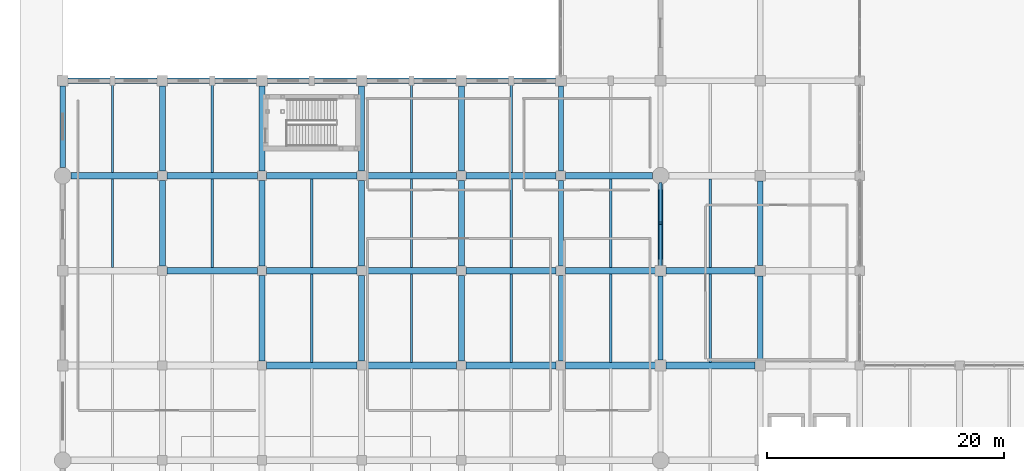
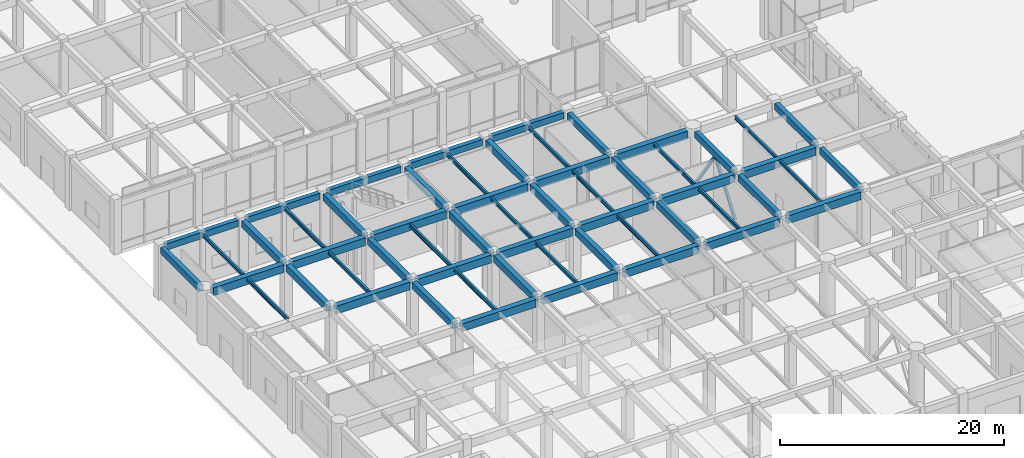
# One storey, part 19 of 76: 57 beams, 2 members.
"""IFC4 building model written with IfcOpenShell, lengths in metres."""

import ifcopenshell
import ifcopenshell.guid

model = None  # the IFC model being written
_history = None  # IfcOwnerHistory: only IFC2X3 demands one
_inside = {}  # id of a spatial element -> (the spatial element, [elements in it])
_under = {}  # id of a project, library or spatial element -> (it, [spatial elements below it])
_declared = {}  # id of a project -> (the project, [libraries it declares])
_typed = {}  # id of a type object -> (the type object, [elements of that type])
_made_of = {}  # id of a material, layer set ... -> (it, [elements and type objects made of it])


def new_model(schema):
    """Start an empty IFC model of exactly this schema.

    Asked for "IFC4X3", IfcOpenShell would pick the latest addendum, in which some entities
    have other attributes; the version numbers below select the first issue.
    IFC2X3 requires an IfcOwnerHistory on every rooted entity: one is made here for all.
    """
    global model, _history
    if schema == "IFC4X3":
        model = ifcopenshell.file(schema_version=(4, 3, 0, 0))
    else:
        model = ifcopenshell.file(schema=schema)
    _inside.clear()
    _under.clear()
    _declared.clear()
    _typed.clear()
    _made_of.clear()
    _history = None
    if model.schema == "IFC2X3":
        org = make("IfcOrganization", Name="unknown")
        user = make(
            "IfcPersonAndOrganization",
            ThePerson=make("IfcPerson", FamilyName="unknown"),
            TheOrganization=org,
        )
        app = make(
            "IfcApplication",
            ApplicationDeveloper=org,
            Version="unknown",
            ApplicationFullName="unknown",
            ApplicationIdentifier="unknown",
        )
        _history = make(
            "IfcOwnerHistory",
            OwningUser=user,
            OwningApplication=app,
            ChangeAction="ADDED",
            CreationDate=0,
        )
    return model


def make(cls, **values):
    """One entity of the class cls with the attributes given. An attribute that is None is left unset."""
    return model.create_entity(
        cls, **{name: value for name, value in values.items() if value is not None}
    )


def rooted(cls, **values):
    """An entity with a GlobalId (a new one), such as an element, a storey or a relation."""
    return make(cls, GlobalId=ifcopenshell.guid.new(), OwnerHistory=_history, **values)


def si_unit(unit_type, name, prefix=None):
    """IfcSIUnit, for example si_unit("LENGTHUNIT", "METRE", prefix="MILLI")."""
    return make("IfcSIUnit", UnitType=unit_type, Prefix=prefix, Name=name)


def assignment(units):
    """IfcUnitAssignment: the units of a project."""
    return None if units is None else make("IfcUnitAssignment", Units=units)


def point(xyz):
    """IfcCartesianPoint."""
    return None if xyz is None else make("IfcCartesianPoint", Coordinates=xyz)


def direction(xyz):
    """IfcDirection."""
    return None if xyz is None else make("IfcDirection", DirectionRatios=xyz)


def frame(location, z_axis=None, x_axis=None):
    """IfcAxis2Placement3D, a coordinate frame: its origin and axes. An axis left out is left unset."""
    return make(
        "IfcAxis2Placement3D",
        Location=point(location),
        Axis=direction(z_axis),
        RefDirection=direction(x_axis),
    )


def frame_2d(location, x_axis=None):
    """IfcAxis2Placement2D, a coordinate frame in the plane: its origin and x axis."""
    return make(
        "IfcAxis2Placement2D", Location=point(location), RefDirection=direction(x_axis)
    )


def origin():
    """The frame at (0, 0, 0) with its axes left unset."""
    return frame((0.0, 0.0, 0.0))


def origin_2d():
    """The frame at (0, 0) in the plane with its x axis left unset."""
    return frame_2d((0.0, 0.0))


def place(relative_to, where):
    """IfcLocalPlacement: puts the frame where relative to a parent placement (None: the world)."""
    return make(
        "IfcLocalPlacement", PlacementRelTo=relative_to, RelativePlacement=where
    )


def context(
    kind, dimensions, precision=None, world=None, true_north=None, identifier=None
):
    """IfcGeometricRepresentationContext, for example the 3D "Model" context."""
    return make(
        "IfcGeometricRepresentationContext",
        ContextIdentifier=identifier,
        ContextType=kind,
        CoordinateSpaceDimension=dimensions,
        Precision=precision,
        WorldCoordinateSystem=world,
        TrueNorth=true_north,
    )


def subcontext(parent, identifier, kind, view, scale=None):
    """IfcGeometricRepresentationSubContext, for example "Body" below "Model"."""
    return make(
        "IfcGeometricRepresentationSubContext",
        ContextIdentifier=identifier,
        ContextType=kind,
        ParentContext=parent,
        TargetScale=scale,
        TargetView=view,
    )


def project(units=None, contexts=None):
    """IfcProject with its units and contexts."""
    return rooted(
        "IfcProject",
        Name="project",
        RepresentationContexts=contexts,
        UnitsInContext=assignment(units),
    )


def spatial(cls, under=None, at=None, **own):
    """A site, building, storey or space (cls), placed at a placement, below another one or the project."""
    s = rooted(cls, ObjectPlacement=at, **own)
    if under is not None:
        _under.setdefault(under.id(), (under, []))[1].append(s)
    return s


def profile(cls, at=None, kind="AREA", **sizes):
    """A parametric profile (cls). Its sizes go by their IFC names, for example OverallWidth=200.0."""
    return make(cls, ProfileType=kind, Position=at, **sizes)


def rectangle(**sizes):
    """IfcRectangleProfileDef."""
    return profile("IfcRectangleProfileDef", **sizes)


def hollow_rectangle(**sizes):
    """IfcRectangleHollowProfileDef."""
    return profile("IfcRectangleHollowProfileDef", **sizes)


def i_section(**sizes):
    """IfcIShapeProfileDef."""
    return profile("IfcIShapeProfileDef", **sizes)


def extrude(swept, where, along, depth):
    """IfcExtrudedAreaSolid: the profile swept, set in the frame where, extruded along a direction by depth."""
    return make(
        "IfcExtrudedAreaSolid",
        SweptArea=swept,
        Position=where,
        ExtrudedDirection=direction(along),
        Depth=depth,
    )


def shape(context_of_items, identifier, shape_type, items):
    """IfcShapeRepresentation: the items that make up one representation, for example the "Body"."""
    return make(
        "IfcShapeRepresentation",
        ContextOfItems=context_of_items,
        RepresentationIdentifier=identifier,
        RepresentationType=shape_type,
        Items=items,
    )


def material(Name=None, Category=None):
    """IfcMaterial."""
    return make("IfcMaterial", Name=Name, Category=Category)


def material_profile(
    of_material, cross_section, Name=None, Category=None, Priority=None
):
    """IfcMaterialProfile: a cross section and its material."""
    return make(
        "IfcMaterialProfile",
        Name=Name,
        Material=of_material,
        Profile=cross_section,
        Priority=Priority,
        Category=Category,
    )


def profile_set(profiles, Name=None, composite=None):
    """IfcMaterialProfileSet."""
    return make(
        "IfcMaterialProfileSet",
        Name=Name,
        MaterialProfiles=profiles,
        CompositeProfile=composite,
    )


def made_of(thing, what):
    """Note that an element or type object is made of a material, layer set ...; save() writes the relation."""
    if what is not None:
        _made_of.setdefault(what.id(), (what, []))[1].append(thing)
    return thing


def type_object(cls, material=None, **own):
    """A type object (cls), such as IfcWallType, which elements share."""
    return made_of(rooted(cls, **own), material)


def element(
    cls,
    number,
    at=None,
    inside=None,
    cuts=None,
    type_object=None,
    material=None,
    context=None,
    identifier="Body",
    shape_type=None,
    held_by="IfcProductDefinitionShape",
    body=None,
    shapes=None,
    **own,
):
    """One element of the class cls, such as IfcWall. Its Tag is "e" and its number.

    at: its placement. inside: the storey or other place that contains it. cuts: it is an
    opening in that element (IfcRelVoidsElement). A single representation is given by context,
    identifier, shape_type and body (its items); several are given by shapes. held_by: the class
    of the entity that holds the representations. save() writes the other relations.
    """
    e = rooted(cls, Tag="e%d" % number, ObjectPlacement=at, **own)
    if body is not None:
        shapes = [shape(context, identifier, shape_type, body)]
    if shapes is not None:
        e.Representation = make(held_by, Representations=shapes)
    if inside is not None:
        _inside.setdefault(inside.id(), (inside, []))[1].append(e)
    if cuts is not None:
        rooted(
            "IfcRelVoidsElement", RelatingBuildingElement=cuts, RelatedOpeningElement=e
        )
    if type_object is not None:
        _typed.setdefault(type_object.id(), (type_object, []))[1].append(e)
    return made_of(e, material)


def aggregate(whole, parts):
    """IfcRelAggregates: a whole, such as a stair, and the parts it consists of."""
    return rooted("IfcRelAggregates", RelatingObject=whole, RelatedObjects=parts)


def save(model, path):
    """Write the relations noted so far, then the file.

    IfcRelAggregates (storeys below a building ...), IfcRelContainedInSpatialStructure (elements
    in a storey), IfcRelDefinesByType, IfcRelAssociatesMaterial and IfcRelDeclares: one each for
    every whole, place, type object, material and project.
    """
    for whole, parts in _under.values():
        aggregate(whole, parts)
    for where, things in _inside.values():
        rooted(
            "IfcRelContainedInSpatialStructure",
            RelatedElements=things,
            RelatingStructure=where,
        )
    for kind, things in _typed.values():
        rooted("IfcRelDefinesByType", RelatedObjects=things, RelatingType=kind)
    for what, things in _made_of.values():
        rooted("IfcRelAssociatesMaterial", RelatedObjects=things, RelatingMaterial=what)
    for by, libraries in _declared.values():
        rooted("IfcRelDeclares", RelatingContext=by, RelatedDefinitions=libraries)
    model.write(path)


model = new_model("IFC4")

# Units and contexts
model_context = context("Model", 3, precision=1e-05, world=origin(), true_north=direction((0.0, 1.0)))
body_context = subcontext(model_context, "Body", "Model", "MODEL_VIEW")
ifc_project = project(units=[si_unit("LENGTHUNIT", "METRE"), si_unit("AREAUNIT", "SQUARE_METRE"), si_unit("VOLUMEUNIT", "CUBIC_METRE"), si_unit("PLANEANGLEUNIT", "RADIAN"), si_unit("MASSUNIT", "GRAM", prefix="KILO")], contexts=[model_context])

# Site, building, storey
site_placement = place(None, origin())
site = spatial("IfcSite", under=ifc_project, at=site_placement, CompositionType="ELEMENT")
building_placement = place(site_placement, origin())
building = spatial("IfcBuilding", under=site, at=building_placement, Name="Naruveol Harbour Congress Hotel", CompositionType="ELEMENT")
storey_placement = place(building_placement, origin())
storey = spatial("IfcBuildingStorey", under=building, at=storey_placement, Name="L00", CompositionType="ELEMENT", Elevation=0.0)

# Beams
ifc_material_1 = material(Name="Concrete C40/50", Category="concrete")
ifc_material_profile_1 = material_profile(ifc_material_1, rectangle(XDim=0.5, YDim=0.75, at=origin_2d()), Name="RCB-500x750")
ifc_profile_set_1 = profile_set([ifc_material_profile_1], Name="Concrete C40/50")
beam_type_1 = type_object("IfcBeamType", Name="RC FLOOR GIRDER 500X750", PredefinedType="BEAM", material=ifc_profile_set_1)
beam_1_placement = place(storey_placement, frame((8.39990234375, 40.39599609375, 5.304931640625), z_axis=(0.0, 1.0, 0.0), x_axis=(-1.0, 0.0, 0.0)))
element("IfcBeam", 1, at=beam_1_placement, inside=storey, type_object=beam_type_1, Name="Transverse girder L01 CB3", PredefinedType="BEAM", context=body_context, shape_type="SweptSolid", body=[
    extrude(rectangle(XDim=0.5, YDim=0.75, at=origin_2d()), origin(), (0.0, 0.0, 1.0), 7.2080078125),
])
beam_2_placement = place(storey_placement, frame((8.39990234375, 48.39599609375, 5.304931640625), z_axis=(0.0, 1.0, 0.0), x_axis=(-1.0, 0.0, 0.0)))
element("IfcBeam", 2, at=beam_2_placement, inside=storey, type_object=beam_type_1, Name="Transverse girder L01 CB3", PredefinedType="BEAM", context=body_context, shape_type="SweptSolid", body=[
    extrude(rectangle(XDim=0.5, YDim=0.75, at=origin_2d()), origin(), (0.0, 0.0, 1.0), 7.157958984375),
])
for number, where, z_axis, x_axis, name in (
    (3, (16.800048828125, 32.39599609375, 5.324951171875), (0.0, 1.0, 0.0), (-1.0, 0.0, 0.0), "Transverse girder L01 CB3"),
    (4, (16.800048828125, 40.39599609375, 5.304931640625), (0.0, 1.0, 0.0), (-1.0, 0.0, 0.0), "Transverse girder L01 CB3"),
):
    element("IfcBeam", number, at=place(storey_placement, frame(where, z_axis=z_axis, x_axis=x_axis)), inside=storey, type_object=beam_type_1, Name=name, PredefinedType="BEAM", context=body_context, shape_type="SweptSolid", body=[
        extrude(rectangle(XDim=0.5, YDim=0.75, at=origin_2d()), origin(), (0.0, 0.0, 1.0), 7.2080078125),
    ])
beam_3_placement = place(storey_placement, frame((16.800048828125, 48.39599609375, 5.304931640625), z_axis=(0.0, 1.0, 0.0), x_axis=(-1.0, 0.0, 0.0)))
element("IfcBeam", 5, at=beam_3_placement, inside=storey, type_object=beam_type_1, Name="Transverse girder L01 CB3", PredefinedType="BEAM", context=body_context, shape_type="SweptSolid", body=[
    extrude(rectangle(XDim=0.5, YDim=0.75, at=origin_2d()), origin(), (0.0, 0.0, 1.0), 7.157958984375),
])
for number, where, z_axis, x_axis, name in (
    (6, (25.199951171875, 32.39599609375, 5.324951171875), (0.0, 1.0, 0.0), (-1.0, 0.0, 0.0), "Transverse girder L01 CB3"),
    (7, (25.199951171875, 40.39599609375, 5.304931640625), (0.0, 1.0, 0.0), (-1.0, 0.0, 0.0), "Transverse girder L01 CB3"),
):
    element("IfcBeam", number, at=place(storey_placement, frame(where, z_axis=z_axis, x_axis=x_axis)), inside=storey, type_object=beam_type_1, Name=name, PredefinedType="BEAM", context=body_context, shape_type="SweptSolid", body=[
        extrude(rectangle(XDim=0.5, YDim=0.75, at=origin_2d()), origin(), (0.0, 0.0, 1.0), 7.2080078125),
    ])
beam_4_placement = place(storey_placement, frame((25.199951171875, 48.39599609375, 5.304931640625), z_axis=(0.0, 1.0, 0.0), x_axis=(-1.0, 0.0, 0.0)))
element("IfcBeam", 8, at=beam_4_placement, inside=storey, type_object=beam_type_1, Name="Transverse girder L01 CB3", PredefinedType="BEAM", context=body_context, shape_type="SweptSolid", body=[
    extrude(rectangle(XDim=0.5, YDim=0.75, at=origin_2d()), origin(), (0.0, 0.0, 1.0), 7.157958984375),
])
for number, where, z_axis, x_axis, name in (
    (9, (33.60009765625, 32.39599609375, 5.324951171875), (0.0, 1.0, 0.0), (-1.0, 0.0, 0.0), "Transverse girder L01 CB3"),
    (10, (33.60009765625, 40.39599609375, 5.304931640625), (0.0, 1.0, 0.0), (-1.0, 0.0, 0.0), "Transverse girder L01 CB3"),
):
    element("IfcBeam", number, at=place(storey_placement, frame(where, z_axis=z_axis, x_axis=x_axis)), inside=storey, type_object=beam_type_1, Name=name, PredefinedType="BEAM", context=body_context, shape_type="SweptSolid", body=[
        extrude(rectangle(XDim=0.5, YDim=0.75, at=origin_2d()), origin(), (0.0, 0.0, 1.0), 7.2080078125),
    ])
beam_5_placement = place(storey_placement, frame((33.60009765625, 48.39599609375, 5.304931640625), z_axis=(0.0, 1.0, 0.0), x_axis=(-1.0, 0.0, 0.0)))
element("IfcBeam", 11, at=beam_5_placement, inside=storey, type_object=beam_type_1, Name="Transverse girder L01 CB3", PredefinedType="BEAM", context=body_context, shape_type="SweptSolid", body=[
    extrude(rectangle(XDim=0.5, YDim=0.75, at=origin_2d()), origin(), (0.0, 0.0, 1.0), 7.157958984375),
])
ifc_material_2 = material(Name="Concrete C40/50", Category="concrete")
ifc_material_profile_2 = material_profile(ifc_material_2, rectangle(XDim=0.550048828125, YDim=0.85009765625, at=origin_2d()), Name="RCB-550x850")
ifc_profile_set_2 = profile_set([ifc_material_profile_2], Name="Concrete C40/50")
beam_type_2 = type_object("IfcBeamType", Name="RC PRIMARY GIRDER 550X850", PredefinedType="BEAM", material=ifc_profile_set_2)
beam_6_placement = place(storey_placement, frame((17.196044921875, 32.0, 5.27490234375), z_axis=(1.0, 0.0, 0.0), x_axis=(0.0, 1.0, 0.0)))
element("IfcBeam", 12, at=beam_6_placement, inside=storey, type_object=beam_type_2, Name="Floor girder L01 CB2", PredefinedType="BEAM", context=body_context, shape_type="SweptSolid", body=[
    extrude(rectangle(XDim=0.550048828125, YDim=0.85009765625, at=origin_2d()), origin(), (0.0, 0.0, 1.0), 7.60791015625),
])
beam_7_placement = place(storey_placement, frame((25.595947265625, 32.0, 5.27490234375), z_axis=(1.0, 0.0, 0.0), x_axis=(0.0, 1.0, 0.0)))
element("IfcBeam", 13, at=beam_7_placement, inside=storey, type_object=beam_type_2, Name="Floor girder L01 CB2", PredefinedType="BEAM", context=body_context, shape_type="SweptSolid", body=[
    extrude(rectangle(XDim=0.550048828125, YDim=0.85009765625, at=origin_2d()), origin(), (0.0, 0.0, 1.0), 7.608154296875),
])
beam_8_placement = place(storey_placement, frame((33.99609375, 32.0, 5.27490234375), z_axis=(1.0, 0.0, 0.0), x_axis=(0.0, 1.0, 0.0)))
element("IfcBeam", 14, at=beam_8_placement, inside=storey, type_object=beam_type_2, Name="Floor girder L01 CB2", PredefinedType="BEAM", context=body_context, shape_type="SweptSolid", body=[
    extrude(rectangle(XDim=0.550048828125, YDim=0.85009765625, at=origin_2d()), origin(), (0.0, 0.0, 1.0), 7.60791015625),
])
beam_9_placement = place(storey_placement, frame((42.39599609375, 32.0, 5.27490234375), z_axis=(1.0, 0.0, 0.0), x_axis=(0.0, 1.0, 0.0)))
element("IfcBeam", 15, at=beam_9_placement, inside=storey, type_object=beam_type_2, Name="Floor girder L01 CB2", PredefinedType="BEAM", context=body_context, shape_type="SweptSolid", body=[
    extrude(rectangle(XDim=0.550048828125, YDim=0.85009765625, at=origin_2d()), origin(), (0.0, 0.0, 1.0), 7.55810546875),
])
beam_10_placement = place(storey_placement, frame((50.845947265625, 32.0, 5.27490234375), z_axis=(1.0, 0.0, 0.0), x_axis=(0.0, 1.0, 0.0)))
element("IfcBeam", 16, at=beam_10_placement, inside=storey, type_object=beam_type_2, Name="Floor girder L01 CB2", PredefinedType="BEAM", context=body_context, shape_type="SweptSolid", body=[
    extrude(rectangle(XDim=0.550048828125, YDim=0.85009765625, at=origin_2d()), origin(), (0.0, 0.0, 1.0), 7.508056640625),
])
beam_11_placement = place(storey_placement, frame((8.7958984375, 40.0, 5.27490234375), z_axis=(1.0, 0.0, 0.0), x_axis=(0.0, 1.0, 0.0)))
element("IfcBeam", 17, at=beam_11_placement, inside=storey, type_object=beam_type_2, Name="Floor girder L01 CB2", PredefinedType="BEAM", context=body_context, shape_type="SweptSolid", body=[
    extrude(rectangle(XDim=0.550048828125, YDim=0.85009765625, at=origin_2d()), origin(), (0.0, 0.0, 1.0), 7.608154296875),
])
beam_12_placement = place(storey_placement, frame((17.196044921875, 40.0, 5.27490234375), z_axis=(1.0, 0.0, 0.0), x_axis=(0.0, 1.0, 0.0)))
element("IfcBeam", 18, at=beam_12_placement, inside=storey, type_object=beam_type_2, Name="Floor girder L01 CB2", PredefinedType="BEAM", context=body_context, shape_type="SweptSolid", body=[
    extrude(rectangle(XDim=0.550048828125, YDim=0.85009765625, at=origin_2d()), origin(), (0.0, 0.0, 1.0), 7.60791015625),
])
beam_13_placement = place(storey_placement, frame((25.595947265625, 40.0, 5.27490234375), z_axis=(1.0, 0.0, 0.0), x_axis=(0.0, 1.0, 0.0)))
element("IfcBeam", 19, at=beam_13_placement, inside=storey, type_object=beam_type_2, Name="Floor girder L01 CB2", PredefinedType="BEAM", context=body_context, shape_type="SweptSolid", body=[
    extrude(rectangle(XDim=0.550048828125, YDim=0.85009765625, at=origin_2d()), origin(), (0.0, 0.0, 1.0), 7.608154296875),
])
beam_14_placement = place(storey_placement, frame((33.99609375, 40.0, 5.27490234375), z_axis=(1.0, 0.0, 0.0), x_axis=(0.0, 1.0, 0.0)))
element("IfcBeam", 20, at=beam_14_placement, inside=storey, type_object=beam_type_2, Name="Floor girder L01 CB2", PredefinedType="BEAM", context=body_context, shape_type="SweptSolid", body=[
    extrude(rectangle(XDim=0.550048828125, YDim=0.85009765625, at=origin_2d()), origin(), (0.0, 0.0, 1.0), 7.60791015625),
])
beam_15_placement = place(storey_placement, frame((42.39599609375, 40.0, 5.27490234375), z_axis=(1.0, 0.0, 0.0), x_axis=(0.0, 1.0, 0.0)))
element("IfcBeam", 21, at=beam_15_placement, inside=storey, type_object=beam_type_2, Name="Floor girder L01 CB2", PredefinedType="BEAM", context=body_context, shape_type="SweptSolid", body=[
    extrude(rectangle(XDim=0.550048828125, YDim=0.85009765625, at=origin_2d()), origin(), (0.0, 0.0, 1.0), 7.55810546875),
])
beam_16_placement = place(storey_placement, frame((50.845947265625, 40.0, 5.27490234375), z_axis=(1.0, 0.0, 0.0), x_axis=(0.0, 1.0, 0.0)))
element("IfcBeam", 22, at=beam_16_placement, inside=storey, type_object=beam_type_2, Name="Floor girder L01 CB2", PredefinedType="BEAM", context=body_context, shape_type="SweptSolid", body=[
    extrude(rectangle(XDim=0.550048828125, YDim=0.85009765625, at=origin_2d()), origin(), (0.0, 0.0, 1.0), 7.508056640625),
])
beam_17_placement = place(storey_placement, frame((0.696044921875, 48.0, 5.2548828125), z_axis=(1.0, 0.0, 0.0), x_axis=(0.0, 1.0, 0.0)))
element("IfcBeam", 23, at=beam_17_placement, inside=storey, type_object=beam_type_2, Name="Floor girder L01 CB2", PredefinedType="BEAM", context=body_context, shape_type="SweptSolid", body=[
    extrude(rectangle(XDim=0.550048828125, YDim=0.85009765625, at=origin_2d()), origin(), (0.0, 0.0, 1.0), 7.307861328125),
])
beam_18_placement = place(storey_placement, frame((8.7958984375, 48.0, 5.2548828125), z_axis=(1.0, 0.0, 0.0), x_axis=(0.0, 1.0, 0.0)))
element("IfcBeam", 24, at=beam_18_placement, inside=storey, type_object=beam_type_2, Name="Floor girder L01 CB2", PredefinedType="BEAM", context=body_context, shape_type="SweptSolid", body=[
    extrude(rectangle(XDim=0.550048828125, YDim=0.85009765625, at=origin_2d()), origin(), (0.0, 0.0, 1.0), 7.608154296875),
])
beam_19_placement = place(storey_placement, frame((17.196044921875, 48.0, 5.2548828125), z_axis=(1.0, 0.0, 0.0), x_axis=(0.0, 1.0, 0.0)))
element("IfcBeam", 25, at=beam_19_placement, inside=storey, type_object=beam_type_2, Name="Floor girder L01 CB2", PredefinedType="BEAM", context=body_context, shape_type="SweptSolid", body=[
    extrude(rectangle(XDim=0.550048828125, YDim=0.85009765625, at=origin_2d()), origin(), (0.0, 0.0, 1.0), 7.60791015625),
])
beam_20_placement = place(storey_placement, frame((25.595947265625, 48.0, 5.2548828125), z_axis=(1.0, 0.0, 0.0), x_axis=(0.0, 1.0, 0.0)))
element("IfcBeam", 26, at=beam_20_placement, inside=storey, type_object=beam_type_2, Name="Floor girder L01 CB2", PredefinedType="BEAM", context=body_context, shape_type="SweptSolid", body=[
    extrude(rectangle(XDim=0.550048828125, YDim=0.85009765625, at=origin_2d()), origin(), (0.0, 0.0, 1.0), 7.608154296875),
])
beam_21_placement = place(storey_placement, frame((33.99609375, 48.0, 5.2548828125), z_axis=(1.0, 0.0, 0.0), x_axis=(0.0, 1.0, 0.0)))
element("IfcBeam", 27, at=beam_21_placement, inside=storey, type_object=beam_type_2, Name="Floor girder L01 CB2", PredefinedType="BEAM", context=body_context, shape_type="SweptSolid", body=[
    extrude(rectangle(XDim=0.550048828125, YDim=0.85009765625, at=origin_2d()), origin(), (0.0, 0.0, 1.0), 7.60791015625),
])
beam_22_placement = place(storey_placement, frame((42.39599609375, 48.0, 5.2548828125), z_axis=(1.0, 0.0, 0.0), x_axis=(0.0, 1.0, 0.0)))
element("IfcBeam", 28, at=beam_22_placement, inside=storey, type_object=beam_type_2, Name="Floor girder L01 CB2", PredefinedType="BEAM", context=body_context, shape_type="SweptSolid", body=[
    extrude(rectangle(XDim=0.550048828125, YDim=0.85009765625, at=origin_2d()), origin(), (0.0, 0.0, 1.0), 7.30810546875),
])
ifc_material_3 = material(Name="Concrete C40/50", Category="concrete")
ifc_material_profile_3 = material_profile(ifc_material_3, rectangle(XDim=0.449951171875, YDim=0.699951171875, at=origin_2d()), Name="RCB-450x700")
ifc_profile_set_3 = profile_set([ifc_material_profile_3], Name="Concrete C40/50")
beam_type_3 = type_object("IfcBeamType", Name="RC SPANDREL BEAM 450X700", PredefinedType="SPANDREL", material=ifc_profile_set_3)
for number, where, z_axis, x_axis, name in (
    (29, (0.446044921875, 56.0, 5.330078125), (1.0, 0.0, 0.0), (0.0, 1.0, 0.0), "Floor girder L01 SPB1"),
    (30, (8.845947265625, 56.0, 5.330078125), (1.0, 0.0, 0.0), (0.0, 1.0, 0.0), "Floor girder L01 SPB1"),
):
    element("IfcBeam", number, at=place(storey_placement, frame(where, z_axis=z_axis, x_axis=x_axis)), inside=storey, type_object=beam_type_3, Name=name, PredefinedType="SPANDREL", context=body_context, shape_type="SweptSolid", body=[
        extrude(rectangle(XDim=0.449951171875, YDim=0.699951171875, at=origin_2d()), origin(), (0.0, 0.0, 1.0), 7.508056640625),
    ])
beam_23_placement = place(storey_placement, frame((17.24609375, 56.0, 5.330078125), z_axis=(1.0, 0.0, 0.0), x_axis=(0.0, 1.0, 0.0)))
element("IfcBeam", 31, at=beam_23_placement, inside=storey, type_object=beam_type_3, Name="Floor girder L01 SPB1", PredefinedType="SPANDREL", context=body_context, shape_type="SweptSolid", body=[
    extrude(rectangle(XDim=0.449951171875, YDim=0.699951171875, at=origin_2d()), origin(), (0.0, 0.0, 1.0), 7.5078125),
])
for number, where, z_axis, x_axis, name in (
    (32, (25.64599609375, 56.0, 5.330078125), (1.0, 0.0, 0.0), (0.0, 1.0, 0.0), "Floor girder L01 SPB1"),
    (33, (34.0458984375, 56.0, 5.330078125), (1.0, 0.0, 0.0), (0.0, 1.0, 0.0), "Floor girder L01 SPB1"),
):
    element("IfcBeam", number, at=place(storey_placement, frame(where, z_axis=z_axis, x_axis=x_axis)), inside=storey, type_object=beam_type_3, Name=name, PredefinedType="SPANDREL", context=body_context, shape_type="SweptSolid", body=[
        extrude(rectangle(XDim=0.449951171875, YDim=0.699951171875, at=origin_2d()), origin(), (0.0, 0.0, 1.0), 7.508056640625),
    ])
beam_24_placement = place(storey_placement, frame((0.0, 48.696044921875, 5.35009765625), z_axis=(0.0, 1.0, 0.0), x_axis=(-1.0, 0.0, 0.0)))
element("IfcBeam", 34, at=beam_24_placement, inside=storey, type_object=beam_type_3, Name="Transverse girder L01 SPB1", PredefinedType="SPANDREL", context=body_context, shape_type="SweptSolid", body=[
    extrude(rectangle(XDim=0.449951171875, YDim=0.699951171875, at=origin_2d()), origin(), (0.0, 0.0, 1.0), 6.85791015625),
])
for number, where, z_axis, x_axis, name in (
    (35, (42.0, 32.39599609375, 5.35009765625), (0.0, 1.0, 0.0), (-1.0, 0.0, 0.0), "Transverse girder L01 SPB1"),
    (36, (42.0, 40.39599609375, 5.330078125), (0.0, 1.0, 0.0), (-1.0, 0.0, 0.0), "Transverse girder L01 SPB1"),
):
    element("IfcBeam", number, at=place(storey_placement, frame(where, z_axis=z_axis, x_axis=x_axis)), inside=storey, type_object=beam_type_3, Name=name, PredefinedType="SPANDREL", context=body_context, shape_type="SweptSolid", body=[
        extrude(rectangle(XDim=0.449951171875, YDim=0.699951171875, at=origin_2d()), origin(), (0.0, 0.0, 1.0), 7.2080078125),
    ])
beam_25_placement = place(storey_placement, frame((42.0, 48.39599609375, 5.330078125), z_axis=(0.0, 1.0, 0.0), x_axis=(-1.0, 0.0, 0.0)))
element("IfcBeam", 37, at=beam_25_placement, inside=storey, type_object=beam_type_3, Name="Transverse girder L01 SPB1", PredefinedType="SPANDREL", context=body_context, shape_type="SweptSolid", body=[
    extrude(rectangle(XDim=0.449951171875, YDim=0.699951171875, at=origin_2d()), origin(), (0.0, 0.0, 1.0), 7.157958984375),
])
beam_26_placement = place(storey_placement, frame((50.39990234375, 32.446044921875, 5.35009765625), z_axis=(0.0, 1.0, 0.0), x_axis=(-1.0, 0.0, 0.0)))
element("IfcBeam", 38, at=beam_26_placement, inside=storey, type_object=beam_type_3, Name="Transverse girder L01 SPB1", PredefinedType="SPANDREL", context=body_context, shape_type="SweptSolid", body=[
    extrude(rectangle(XDim=0.449951171875, YDim=0.699951171875, at=origin_2d()), origin(), (0.0, 0.0, 1.0), 7.10791015625),
])
beam_27_placement = place(storey_placement, frame((50.39990234375, 40.446044921875, 5.35009765625), z_axis=(0.0, 1.0, 0.0), x_axis=(-1.0, 0.0, 0.0)))
element("IfcBeam", 39, at=beam_27_placement, inside=storey, type_object=beam_type_3, Name="Transverse girder L01 SPB1", PredefinedType="SPANDREL", context=body_context, shape_type="SweptSolid", body=[
    extrude(rectangle(XDim=0.449951171875, YDim=0.699951171875, at=origin_2d()), origin(), (0.0, 0.0, 1.0), 6.85791015625),
])
for number, where, z_axis, x_axis, name in (
    (40, (58.800048828125, 32.446044921875, 5.35009765625), (0.0, 1.0, 0.0), (-1.0, 0.0, 0.0), "Transverse girder L01 SPB1"),
    (41, (58.800048828125, 40.446044921875, 5.35009765625), (0.0, 1.0, 0.0), (-1.0, 0.0, 0.0), "Transverse girder L01 SPB1"),
):
    element("IfcBeam", number, at=place(storey_placement, frame(where, z_axis=z_axis, x_axis=x_axis)), inside=storey, type_object=beam_type_3, Name=name, PredefinedType="SPANDREL", context=body_context, shape_type="SweptSolid", body=[
        extrude(rectangle(XDim=0.449951171875, YDim=0.699951171875, at=origin_2d()), origin(), (0.0, 0.0, 1.0), 7.10791015625),
    ])

# Members
ifc_material_4 = material(Name="Steel SN490", Category="steel")
ifc_material_profile_4 = material_profile(ifc_material_4, hollow_rectangle(XDim=0.25, YDim=0.25, WallThickness=0.011962890625, at=origin_2d()), Name="SHS-250x250x12")
ifc_profile_set_4 = profile_set([ifc_material_profile_4], Name="Steel SN490")
member_type = type_object("IfcMemberType", Name="STEEL LATERAL FRAME BRACE SHS250", PredefinedType="BRACE", material=ifc_profile_set_4)
member_1_placement = place(storey_placement, frame((50.39990234375, 40.43994140625, 0.159912109375), z_axis=(0.0, 0.596512275355, 0.802603952987), x_axis=(-1.0, 0.0, 0.0)))
element("IfcMember", 42, at=member_1_placement, inside=storey, type_object=member_type, Name="Lateral chevron brace L00 #7A", PredefinedType="BRACE", context=body_context, shape_type="SweptSolid", body=[
    extrude(hollow_rectangle(XDim=0.25, YDim=0.25, WallThickness=0.011962890625, at=origin_2d()), origin(), (0.0, 0.0, 1.0), 5.968017578125),
])
member_2_placement = place(storey_placement, frame((50.39990234375, 47.31005859375, 0.159912109375), z_axis=(0.0, -0.56849895373, 0.822683985263), x_axis=(1.0, 0.0, 0.0)))
element("IfcMember", 43, at=member_2_placement, inside=storey, type_object=member_type, Name="Lateral chevron brace L00 #7B", PredefinedType="BRACE", context=body_context, shape_type="SweptSolid", body=[
    extrude(hollow_rectangle(XDim=0.25, YDim=0.25, WallThickness=0.011962890625, at=origin_2d()), origin(), (0.0, 0.0, 1.0), 5.822509765625),
])

# Beams
ifc_material_5 = material(Name="Steel SN490", Category="steel")
ifc_material_profile_5 = material_profile(ifc_material_5, i_section(OverallWidth=0.199951171875, OverallDepth=0.39990234375, WebThickness=0.008056640625, FlangeThickness=0.012939453125, at=origin_2d()), Name="H-400x200x8x13")
ifc_profile_set_5 = profile_set([ifc_material_profile_5], Name="Steel SN490")
beam_type_4 = type_object("IfcBeamType", Name="STEEL SECONDARY JOIST H400", PredefinedType="JOIST", material=ifc_profile_set_5)
for number, where, z_axis, x_axis, name in (
    (44, (21.0, 32.27099609375, 5.5), (0.0, 1.0, 0.0), (-1.0, 0.0, 0.0), "Secondary floor joist L01 SJ1"),
    (45, (29.39990234375, 32.27099609375, 5.5), (0.0, 1.0, 0.0), (-1.0, 0.0, 0.0), "Secondary floor joist L01 SJ1"),
    (46, (37.800048828125, 32.27099609375, 5.5), (0.0, 1.0, 0.0), (-1.0, 0.0, 0.0), "Secondary floor joist L01 SJ1"),
    (47, (46.199951171875, 32.27099609375, 5.5), (0.0, 1.0, 0.0), (-1.0, 0.0, 0.0), "Secondary floor joist L01 SJ1"),
    (48, (54.60009765625, 32.27099609375, 5.5), (0.0, 1.0, 0.0), (-1.0, 0.0, 0.0), "Secondary floor joist L01 SJ1"),
    (49, (4.199951171875, 40.27099609375, 5.47998046875), (0.0, 1.0, 0.0), (-1.0, 0.0, 0.0), "Secondary floor joist L01 SJ1"),
    (50, (12.60009765625, 40.27099609375, 5.47998046875), (0.0, 1.0, 0.0), (-1.0, 0.0, 0.0), "Secondary floor joist L01 SJ1"),
    (51, (21.0, 40.27099609375, 5.47998046875), (0.0, 1.0, 0.0), (-1.0, 0.0, 0.0), "Secondary floor joist L01 SJ1"),
    (52, (29.39990234375, 40.27099609375, 5.47998046875), (0.0, 1.0, 0.0), (-1.0, 0.0, 0.0), "Secondary floor joist L01 SJ1"),
    (53, (37.800048828125, 40.27099609375, 5.47998046875), (0.0, 1.0, 0.0), (-1.0, 0.0, 0.0), "Secondary floor joist L01 SJ1"),
    (54, (46.199951171875, 40.27099609375, 5.47998046875), (0.0, 1.0, 0.0), (-1.0, 0.0, 0.0), "Secondary floor joist L01 SJ1"),
    (55, (54.60009765625, 40.27099609375, 5.5), (0.0, 1.0, 0.0), (-1.0, 0.0, 0.0), "Secondary floor joist L01 SJ1"),
):
    element("IfcBeam", number, at=place(storey_placement, frame(where, z_axis=z_axis, x_axis=x_axis)), inside=storey, type_object=beam_type_4, Name=name, PredefinedType="JOIST", context=body_context, shape_type="SweptSolid", body=[
        extrude(i_section(OverallWidth=0.199951171875, OverallDepth=0.39990234375, WebThickness=0.008056640625, FlangeThickness=0.012939453125, at=origin_2d()), origin(), (0.0, 0.0, 1.0), 7.4580078125),
    ])
for number, where, z_axis, x_axis, name in (
    (56, (4.199951171875, 48.27099609375, 5.47998046875), (0.0, 1.0, 0.0), (-1.0, 0.0, 0.0), "Secondary floor joist L01 SJ1"),
    (57, (12.60009765625, 48.27099609375, 5.47998046875), (0.0, 1.0, 0.0), (-1.0, 0.0, 0.0), "Secondary floor joist L01 SJ1"),
    (58, (29.39990234375, 48.27099609375, 5.47998046875), (0.0, 1.0, 0.0), (-1.0, 0.0, 0.0), "Secondary floor joist L01 SJ1"),
    (59, (37.800048828125, 48.27099609375, 5.47998046875), (0.0, 1.0, 0.0), (-1.0, 0.0, 0.0), "Secondary floor joist L01 SJ1"),
):
    element("IfcBeam", number, at=place(storey_placement, frame(where, z_axis=z_axis, x_axis=x_axis)), inside=storey, type_object=beam_type_4, Name=name, PredefinedType="JOIST", context=body_context, shape_type="SweptSolid", body=[
        extrude(i_section(OverallWidth=0.199951171875, OverallDepth=0.39990234375, WebThickness=0.008056640625, FlangeThickness=0.012939453125, at=origin_2d()), origin(), (0.0, 0.0, 1.0), 7.508056640625),
    ])

save(model, "model.ifc")
